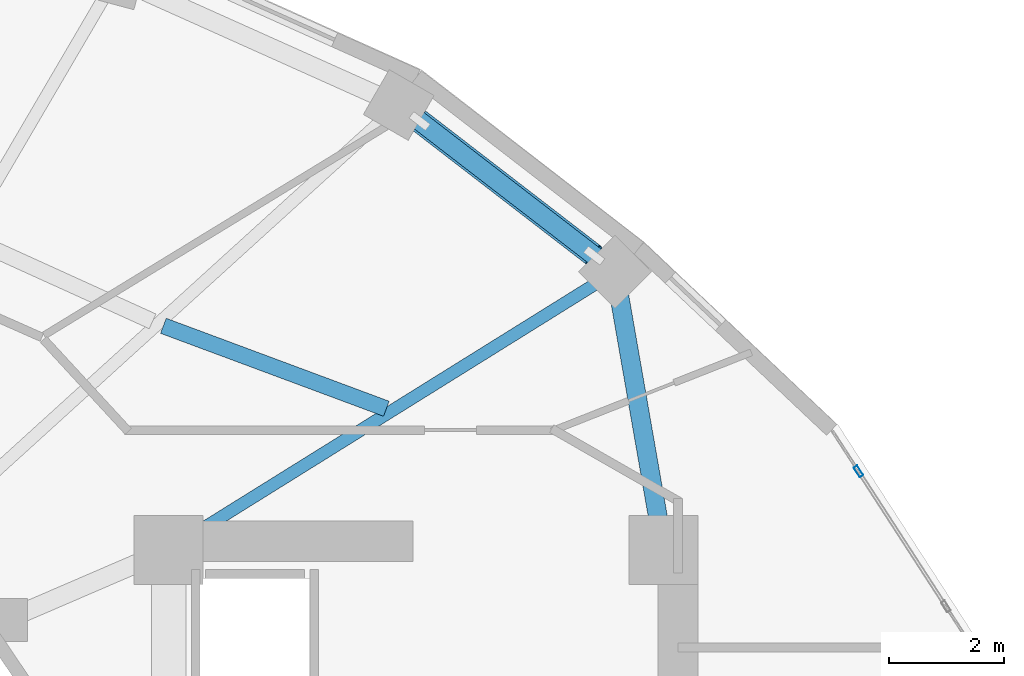
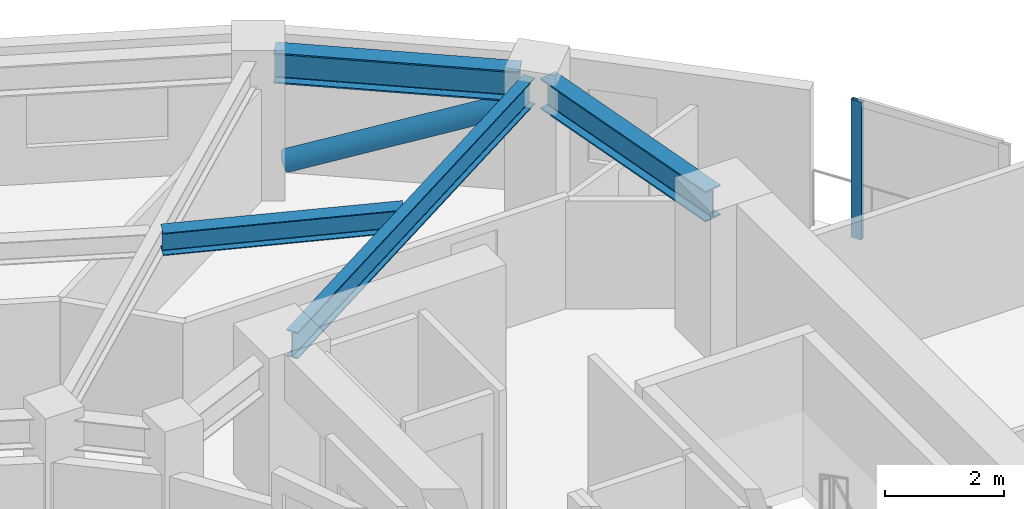
# One storey, part 4 of 13: 4 beams, 2 members, 1 element without a shape of its own.
"""IFC4 building model written with IfcOpenShell, lengths in metres."""

import ifcopenshell
import ifcopenshell.guid

model = None  # the IFC model being written
_history = None  # IfcOwnerHistory: only IFC2X3 demands one
_inside = {}  # id of a spatial element -> (the spatial element, [elements in it])
_under = {}  # id of a project, library or spatial element -> (it, [spatial elements below it])
_declared = {}  # id of a project -> (the project, [libraries it declares])
_typed = {}  # id of a type object -> (the type object, [elements of that type])
_made_of = {}  # id of a material, layer set ... -> (it, [elements and type objects made of it])


def new_model(schema):
    """Start an empty IFC model of exactly this schema.

    Asked for "IFC4X3", IfcOpenShell would pick the latest addendum, in which some entities
    have other attributes; the version numbers below select the first issue.
    IFC2X3 requires an IfcOwnerHistory on every rooted entity: one is made here for all.
    """
    global model, _history
    if schema == "IFC4X3":
        model = ifcopenshell.file(schema_version=(4, 3, 0, 0))
    else:
        model = ifcopenshell.file(schema=schema)
    _inside.clear()
    _under.clear()
    _declared.clear()
    _typed.clear()
    _made_of.clear()
    _history = None
    if model.schema == "IFC2X3":
        org = make("IfcOrganization", Name="unknown")
        user = make(
            "IfcPersonAndOrganization",
            ThePerson=make("IfcPerson", FamilyName="unknown"),
            TheOrganization=org,
        )
        app = make(
            "IfcApplication",
            ApplicationDeveloper=org,
            Version="unknown",
            ApplicationFullName="unknown",
            ApplicationIdentifier="unknown",
        )
        _history = make(
            "IfcOwnerHistory",
            OwningUser=user,
            OwningApplication=app,
            ChangeAction="ADDED",
            CreationDate=0,
        )
    return model


def make(cls, **values):
    """One entity of the class cls with the attributes given. An attribute that is None is left unset."""
    return model.create_entity(
        cls, **{name: value for name, value in values.items() if value is not None}
    )


def rooted(cls, **values):
    """An entity with a GlobalId (a new one), such as an element, a storey or a relation."""
    return make(cls, GlobalId=ifcopenshell.guid.new(), OwnerHistory=_history, **values)


def si_unit(unit_type, name, prefix=None):
    """IfcSIUnit, for example si_unit("LENGTHUNIT", "METRE", prefix="MILLI")."""
    return make("IfcSIUnit", UnitType=unit_type, Prefix=prefix, Name=name)


def assignment(units):
    """IfcUnitAssignment: the units of a project."""
    return None if units is None else make("IfcUnitAssignment", Units=units)


def point(xyz):
    """IfcCartesianPoint."""
    return None if xyz is None else make("IfcCartesianPoint", Coordinates=xyz)


def direction(xyz):
    """IfcDirection."""
    return None if xyz is None else make("IfcDirection", DirectionRatios=xyz)


def frame(location, z_axis=None, x_axis=None):
    """IfcAxis2Placement3D, a coordinate frame: its origin and axes. An axis left out is left unset."""
    return make(
        "IfcAxis2Placement3D",
        Location=point(location),
        Axis=direction(z_axis),
        RefDirection=direction(x_axis),
    )


def frame_2d(location, x_axis=None):
    """IfcAxis2Placement2D, a coordinate frame in the plane: its origin and x axis."""
    return make(
        "IfcAxis2Placement2D", Location=point(location), RefDirection=direction(x_axis)
    )


def origin():
    """The frame at (0, 0, 0) with its axes left unset."""
    return frame((0.0, 0.0, 0.0))


def origin_2d():
    """The frame at (0, 0) in the plane with its x axis left unset."""
    return frame_2d((0.0, 0.0))


def place(relative_to, where):
    """IfcLocalPlacement: puts the frame where relative to a parent placement (None: the world)."""
    return make(
        "IfcLocalPlacement", PlacementRelTo=relative_to, RelativePlacement=where
    )


def context(
    kind, dimensions, precision=None, world=None, true_north=None, identifier=None
):
    """IfcGeometricRepresentationContext, for example the 3D "Model" context."""
    return make(
        "IfcGeometricRepresentationContext",
        ContextIdentifier=identifier,
        ContextType=kind,
        CoordinateSpaceDimension=dimensions,
        Precision=precision,
        WorldCoordinateSystem=world,
        TrueNorth=true_north,
    )


def subcontext(parent, identifier, kind, view, scale=None):
    """IfcGeometricRepresentationSubContext, for example "Body" below "Model"."""
    return make(
        "IfcGeometricRepresentationSubContext",
        ContextIdentifier=identifier,
        ContextType=kind,
        ParentContext=parent,
        TargetScale=scale,
        TargetView=view,
    )


def project(units=None, contexts=None):
    """IfcProject with its units and contexts."""
    return rooted(
        "IfcProject",
        Name="project",
        RepresentationContexts=contexts,
        UnitsInContext=assignment(units),
    )


def spatial(cls, under=None, at=None, **own):
    """A site, building, storey or space (cls), placed at a placement, below another one or the project."""
    s = rooted(cls, ObjectPlacement=at, **own)
    if under is not None:
        _under.setdefault(under.id(), (under, []))[1].append(s)
    return s


def profile(cls, at=None, kind="AREA", **sizes):
    """A parametric profile (cls). Its sizes go by their IFC names, for example OverallWidth=200.0."""
    return make(cls, ProfileType=kind, Position=at, **sizes)


def hollow_rectangle(**sizes):
    """IfcRectangleHollowProfileDef."""
    return profile("IfcRectangleHollowProfileDef", **sizes)


def hollow_circle(**sizes):
    """IfcCircleHollowProfileDef."""
    return profile("IfcCircleHollowProfileDef", **sizes)


def i_section(**sizes):
    """IfcIShapeProfileDef."""
    return profile("IfcIShapeProfileDef", **sizes)


def extrude(swept, where, along, depth):
    """IfcExtrudedAreaSolid: the profile swept, set in the frame where, extruded along a direction by depth."""
    return make(
        "IfcExtrudedAreaSolid",
        SweptArea=swept,
        Position=where,
        ExtrudedDirection=direction(along),
        Depth=depth,
    )


def shape(context_of_items, identifier, shape_type, items):
    """IfcShapeRepresentation: the items that make up one representation, for example the "Body"."""
    return make(
        "IfcShapeRepresentation",
        ContextOfItems=context_of_items,
        RepresentationIdentifier=identifier,
        RepresentationType=shape_type,
        Items=items,
    )


def material(Name=None, Category=None):
    """IfcMaterial."""
    return make("IfcMaterial", Name=Name, Category=Category)


def layer(
    of_material, thickness, ventilated=None, Name=None, Category=None, Priority=None
):
    """IfcMaterialLayer: one layer of a wall or slab, of a material (None: an air gap)."""
    return make(
        "IfcMaterialLayer",
        Material=of_material,
        LayerThickness=thickness,
        IsVentilated=ventilated,
        Name=Name,
        Category=Category,
        Priority=Priority,
    )


def layer_set(layers, Name=None):
    """IfcMaterialLayerSet."""
    return make("IfcMaterialLayerSet", MaterialLayers=layers, LayerSetName=Name)


def material_profile(
    of_material, cross_section, Name=None, Category=None, Priority=None
):
    """IfcMaterialProfile: a cross section and its material."""
    return make(
        "IfcMaterialProfile",
        Name=Name,
        Material=of_material,
        Profile=cross_section,
        Priority=Priority,
        Category=Category,
    )


def profile_set(profiles, Name=None, composite=None):
    """IfcMaterialProfileSet."""
    return make(
        "IfcMaterialProfileSet",
        Name=Name,
        MaterialProfiles=profiles,
        CompositeProfile=composite,
    )


def made_of(thing, what):
    """Note that an element or type object is made of a material, layer set ...; save() writes the relation."""
    if what is not None:
        _made_of.setdefault(what.id(), (what, []))[1].append(thing)
    return thing


def type_object(cls, material=None, **own):
    """A type object (cls), such as IfcWallType, which elements share."""
    return made_of(rooted(cls, **own), material)


def element(
    cls,
    number,
    at=None,
    inside=None,
    cuts=None,
    type_object=None,
    material=None,
    context=None,
    identifier="Body",
    shape_type=None,
    held_by="IfcProductDefinitionShape",
    body=None,
    shapes=None,
    **own,
):
    """One element of the class cls, such as IfcWall. Its Tag is "e" and its number.

    at: its placement. inside: the storey or other place that contains it. cuts: it is an
    opening in that element (IfcRelVoidsElement). A single representation is given by context,
    identifier, shape_type and body (its items); several are given by shapes. held_by: the class
    of the entity that holds the representations. save() writes the other relations.
    """
    e = rooted(cls, Tag="e%d" % number, ObjectPlacement=at, **own)
    if body is not None:
        shapes = [shape(context, identifier, shape_type, body)]
    if shapes is not None:
        e.Representation = make(held_by, Representations=shapes)
    if inside is not None:
        _inside.setdefault(inside.id(), (inside, []))[1].append(e)
    if cuts is not None:
        rooted(
            "IfcRelVoidsElement", RelatingBuildingElement=cuts, RelatedOpeningElement=e
        )
    if type_object is not None:
        _typed.setdefault(type_object.id(), (type_object, []))[1].append(e)
    return made_of(e, material)


def aggregate(whole, parts):
    """IfcRelAggregates: a whole, such as a stair, and the parts it consists of."""
    return rooted("IfcRelAggregates", RelatingObject=whole, RelatedObjects=parts)


def save(model, path):
    """Write the relations noted so far, then the file.

    IfcRelAggregates (storeys below a building ...), IfcRelContainedInSpatialStructure (elements
    in a storey), IfcRelDefinesByType, IfcRelAssociatesMaterial and IfcRelDeclares: one each for
    every whole, place, type object, material and project.
    """
    for whole, parts in _under.values():
        aggregate(whole, parts)
    for where, things in _inside.values():
        rooted(
            "IfcRelContainedInSpatialStructure",
            RelatedElements=things,
            RelatingStructure=where,
        )
    for kind, things in _typed.values():
        rooted("IfcRelDefinesByType", RelatedObjects=things, RelatingType=kind)
    for what, things in _made_of.values():
        rooted("IfcRelAssociatesMaterial", RelatedObjects=things, RelatingMaterial=what)
    for by, libraries in _declared.values():
        rooted("IfcRelDeclares", RelatingContext=by, RelatedDefinitions=libraries)
    model.write(path)


model = new_model("IFC4")

# Units and contexts
model_context = context("Model", 3, precision=1e-05, world=origin(), true_north=direction((0.0, 1.0)))
body_context = subcontext(model_context, "Body", "Model", "MODEL_VIEW")
ifc_project = project(units=[si_unit("LENGTHUNIT", "METRE"), si_unit("AREAUNIT", "SQUARE_METRE"), si_unit("VOLUMEUNIT", "CUBIC_METRE"), si_unit("PLANEANGLEUNIT", "RADIAN"), si_unit("MASSUNIT", "GRAM", prefix="KILO")], contexts=[model_context])

# Site, building, storey
site_placement = place(None, origin())
site = spatial("IfcSite", under=ifc_project, at=site_placement, CompositionType="ELEMENT")
building_placement = place(site_placement, origin())
building = spatial("IfcBuilding", under=site, at=building_placement, Name="Solvane Sanctuary Tower", CompositionType="ELEMENT")
storey_placement = place(building_placement, frame((0.0, 0.0, 156.0)))
storey = spatial("IfcBuildingStorey", under=building, at=storey_placement, Name="L47", CompositionType="ELEMENT", Elevation=156.0)

# Beams
ifc_material_1 = material(Name="Steel ASTM A992 Grade 50", Category="steel")
ifc_material_profile_1 = material_profile(ifc_material_1, i_section(OverallWidth=0.214111328125, OverallDepth=0.549072265625, WebThickness=0.0146484375, FlangeThickness=0.023681640625, FilletRadius=0.014892578125, at=origin_2d()), Name="W21X93")
ifc_profile_set_1 = profile_set([ifc_material_profile_1], Name="Steel ASTM A992 Grade 50")
beam_type_1 = type_object("IfcBeamType", Name="Beam B-RAD-Z3 W21X93", PredefinedType="JOIST", material=ifc_profile_set_1)
beam_1_placement = place(storey_placement, frame((40.405517578125, 30.390380859375, 2.603515625), z_axis=(0.84882685523, 0.528670946658, 0.0), x_axis=(-0.528670946658, 0.84882685523, 0.0)))
element("IfcBeam", 1, at=beam_1_placement, inside=storey, type_object=beam_type_1, Name="L47 Radial Composite Floor Beam 01", PredefinedType="JOIST", context=body_context, shape_type="SweptSolid", body=[
    extrude(i_section(OverallWidth=0.214111328125, OverallDepth=0.549072265625, WebThickness=0.0146484375, FlangeThickness=0.023681640625, FilletRadius=0.014892578125, at=origin_2d()), origin(), (0.0, 0.0, 1.0), 8.498046875),
])
ifc_material_profile_2 = material_profile(ifc_material_1, i_section(OverallWidth=0.280029296875, OverallDepth=0.462890625, WebThickness=0.0107421875, FlangeThickness=0.017333984375, FilletRadius=0.013916015625, at=origin_2d()), Name="W18X76")
ifc_profile_set_2 = profile_set([ifc_material_profile_2], Name="Steel ASTM A992 Grade 50")
beam_type_2 = type_object("IfcBeamType", Name="Beam B-SEC-JOIST W18X76", PredefinedType="JOIST", material=ifc_profile_set_2)
beam_2_placement = place(storey_placement, frame((40.009765625, 34.091796875, 2.646484375), z_axis=(0.937258220662, -0.34863595311, 0.0), x_axis=(0.34863595311, 0.937258220662, 0.0)))
element("IfcBeam", 2, at=beam_2_placement, inside=storey, type_object=beam_type_2, Name="L47 Secondary Circumferential Joist 02-01", PredefinedType="JOIST", context=body_context, shape_type="SweptSolid", body=[
    extrude(i_section(OverallWidth=0.280029296875, OverallDepth=0.462890625, WebThickness=0.0107421875, FlangeThickness=0.017333984375, FilletRadius=0.013916015625, at=origin_2d()), origin(), (0.0, 0.0, 1.0), 4.13232421875),
])
ifc_material_profile_3 = material_profile(ifc_material_1, i_section(OverallWidth=0.327880859375, OverallDepth=0.6279296875, WebThickness=0.0166015625, FlangeThickness=0.027587890625, FilletRadius=0.01611328125, at=origin_2d()), Name="W24X146")
ifc_profile_set_3 = profile_set([ifc_material_profile_3], Name="Steel ASTM A992 Grade 50")
beam_type_3 = type_object("IfcBeamType", Name="Beam B-SPAND-Z3 W24X146", PredefinedType="SPANDREL", material=ifc_profile_set_3)
beam_3_placement = place(storey_placement, frame((44.31982421875, 37.757080078125, 2.56396484375), z_axis=(0.792020773873, -0.610494139001, 0.0), x_axis=(0.610494139001, 0.792020773873, 0.0)))
element("IfcBeam", 3, at=beam_3_placement, inside=storey, type_object=beam_type_3, Name="L47 Perimeter Spandrel Beam TC02-TC01", PredefinedType="SPANDREL", context=body_context, shape_type="SweptSolid", body=[
    extrude(i_section(OverallWidth=0.327880859375, OverallDepth=0.6279296875, WebThickness=0.0166015625, FlangeThickness=0.027587890625, FilletRadius=0.01611328125, at=origin_2d()), origin(), (0.0, 0.0, 1.0), 4.185302734375),
])
beam_4_placement = place(storey_placement, frame((47.90478515625, 34.75537109375, 2.56396484375), z_axis=(0.171967263087, -0.985102664917, 0.0), x_axis=(0.985102664917, 0.171967263087, 0.0)))
element("IfcBeam", 4, at=beam_4_placement, inside=storey, type_object=beam_type_3, Name="L47 Perimeter Spandrel Beam TC01-CE3", PredefinedType="SPANDREL", context=body_context, shape_type="SweptSolid", body=[
    extrude(i_section(OverallWidth=0.327880859375, OverallDepth=0.6279296875, WebThickness=0.0166015625, FlangeThickness=0.027587890625, FilletRadius=0.01611328125, at=origin_2d()), origin(), (0.0, 0.0, 1.0), 4.34423828125),
])

# Curtain wall, member
ifc_material_2 = material(Name="Anodised Aluminium 6063-T6", Category="aluminium")
ifc_layer = layer(ifc_material_2, 0.2099609375, Name="Anodised Aluminium 6063-T6")
ifc_layer_set = layer_set([ifc_layer], Name="Anodised Aluminium 6063-T6")
curtain_wall_type = type_object("IfcCurtainWallType", Name="Curtain Wall CW-PORTAL", PredefinedType="NOTDEFINED", material=ifc_layer_set)
curtain_wall_placement = place(storey_placement, origin())
curtain_wall = element("IfcCurtainWall", 5, at=curtain_wall_placement, inside=storey, type_object=curtain_wall_type, Name="L47 CW-PORTAL Facade Run 01", PredefinedType="NOTDEFINED")
ifc_material_profile_4 = material_profile(ifc_material_2, hollow_rectangle(XDim=0.074951171875, YDim=0.199951171875, WallThickness=0.00390625, at=origin_2d()), Name="ALU200X75X4")
ifc_profile_set_4 = profile_set([ifc_material_profile_4], Name="Anodised Aluminium 6063-T6")
member_type_1 = type_object("IfcMemberType", Name="Member M-CW-MUL-1 ALU200X75X4", PredefinedType="MULLION", material=ifc_profile_set_4)
member_1_placement = place(storey_placement, frame((52.0849609375, 31.56396484375, 0.0), z_axis=(0.0, 0.0, 1.0), x_axis=(-0.839512220128, -0.543340806728, 0.0)))
member_1 = element("IfcMember", 6, at=member_1_placement, type_object=member_type_1, Name="CW-PORTAL mullion 2", PredefinedType="MULLION", context=body_context, shape_type="SweptSolid", body=[
    extrude(hollow_rectangle(XDim=0.074951171875, YDim=0.199951171875, WallThickness=0.00390625, at=origin_2d()), origin(), (0.0, 0.0, 1.0), 2.840087890625),
])
aggregate(curtain_wall, [member_1])

# Member
ifc_material_profile_5 = material_profile(ifc_material_1, hollow_circle(Radius=0.202880859375, WallThickness=0.012451171875, at=origin_2d()), Name="CHS406X12.5")
ifc_profile_set_5 = profile_set([ifc_material_profile_5], Name="Steel ASTM A992 Grade 50")
member_type_2 = type_object("IfcMemberType", Name="Member M-TUBE-Z3 CHS406X12.5", PredefinedType="BRACE", material=ifc_profile_set_5)
member_2_placement = place(storey_placement, frame((44.465087890625, 37.645263671875, 0.5625), z_axis=(0.73686018058, -0.568005062922, 0.366616042707), x_axis=(0.610513708364, 0.792005689311, 0.0)))
element("IfcMember", 7, at=member_2_placement, inside=storey, type_object=member_type_2, Name="L47 Perimeter Braced-Tube Diagonal NE", PredefinedType="BRACE", context=body_context, shape_type="SweptSolid", body=[
    extrude(hollow_circle(Radius=0.202880859375, WallThickness=0.012451171875, at=origin_2d()), origin(), (0.0, 0.0, 1.0), 4.104736328125),
])

save(model, "model.ifc")
